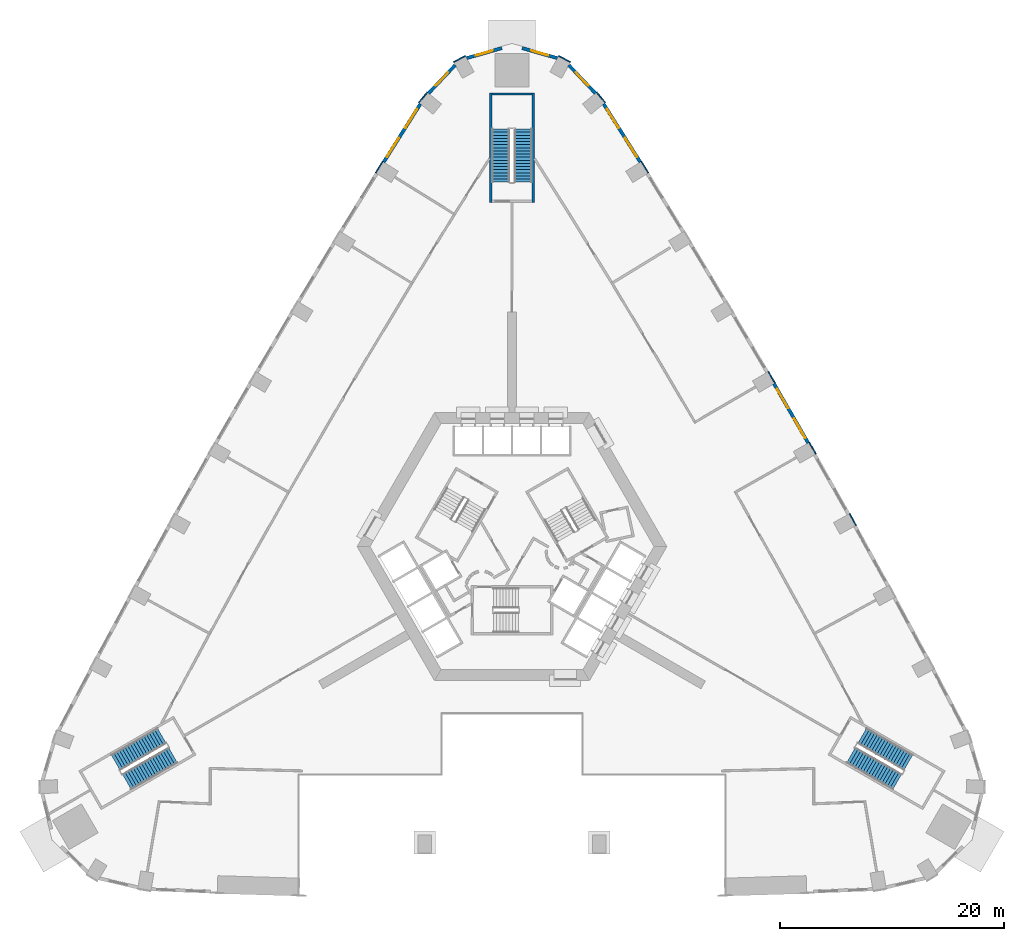
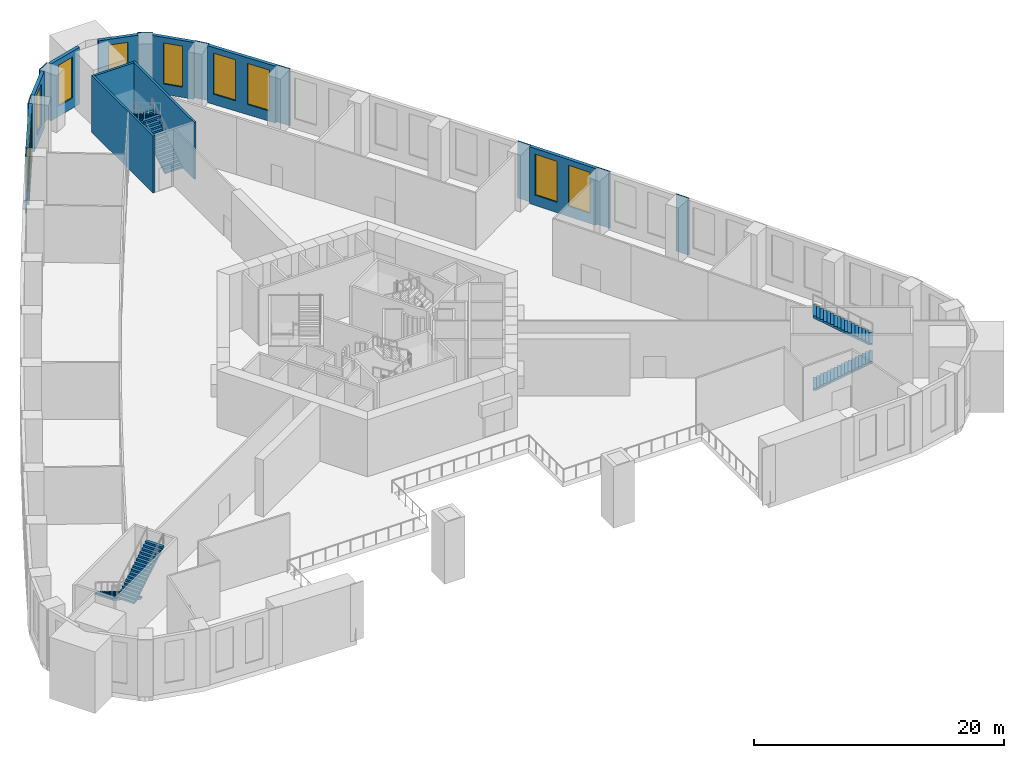
# One storey, part 8 of 15: 19 walls, 10 windows, 6 stair flights, 10 openings, 3 elements without a shape of their own.
"""IFC4 building model written with IfcOpenShell, lengths in metres."""

from ifc_helpers import new_model, si_unit, direction, frame, frame_2d, origin, place, context, subcontext, project, spatial, polyline, rectangle, outline, extrude, material, layer, layer_set, type_object, element, fill, aggregate, save


model = new_model("IFC4")

# Units and contexts
model_context = context("Model", 3, precision=1e-05, world=origin(), true_north=direction((0.0, 1.0)))
body_context = subcontext(model_context, "Body", "Model", "MODEL_VIEW")
ifc_project = project(units=[si_unit("LENGTHUNIT", "METRE"), si_unit("AREAUNIT", "SQUARE_METRE"), si_unit("VOLUMEUNIT", "CUBIC_METRE"), si_unit("PLANEANGLEUNIT", "RADIAN"), si_unit("MASSUNIT", "GRAM", prefix="KILO")], contexts=[model_context])

# Site, building, storey
site_placement = place(None, origin())
site = spatial("IfcSite", under=ifc_project, at=site_placement, CompositionType="ELEMENT")
building_placement = place(site_placement, origin())
building = spatial("IfcBuilding", under=site, at=building_placement, Name="Entoto Arch Interchange Tower", CompositionType="ELEMENT")
storey_placement = place(building_placement, frame((0.0, 0.0, 9.0)))
storey = spatial("IfcBuildingStorey", under=building, at=storey_placement, Name="L01", CompositionType="ELEMENT", Elevation=9.0)

# Walls
ifc_material_1 = material(Name="Concrete C40/50", Category="concrete")
ifc_layer_1 = layer(ifc_material_1, 0.199951171875)
ifc_layer_set_1 = layer_set([ifc_layer_1], Name="Concrete C40/50")
wall_type_1 = type_object("IfcWallType", Name="STAIR ENCLOSURE WALL 200", PredefinedType="STANDARD", material=ifc_layer_set_1)
for number, where, z_axis, x_axis, name in (
    (1, (1.89990234375, 33.300048828125, 0.0), (0.0, 0.0, 1.0), (0.0, 1.0, 0.0), "Stair wall PST-N left"),
    (2, (-1.89990234375, 33.300048828125, 0.0), (0.0, 0.0, 1.0), (0.0, 1.0, 0.0), "Stair wall PST-N right"),
):
    element("IfcWall", number, at=place(storey_placement, frame(where, z_axis=z_axis, x_axis=x_axis)), inside=storey, type_object=wall_type_1, Name=name, PredefinedType="STANDARD", context=body_context, shape_type="SweptSolid", body=[
        extrude(rectangle(XDim=9.800048828125, YDim=0.199951171875, at=frame_2d((4.89990234375, 0.0))), origin(), (0.0, 0.0, 1.0), 5.550048828125),
    ])
wall_1_placement = place(storey_placement, frame((1.800048828125, 43.0, 0.0), z_axis=(0.0, 0.0, 1.0), x_axis=(-1.0, 0.0, 0.0)))
element("IfcWall", 3, at=wall_1_placement, inside=storey, type_object=wall_type_1, Name="Stair wall PST-N far", PredefinedType="STANDARD", context=body_context, shape_type="SweptSolid", body=[
    extrude(rectangle(XDim=3.60009765625, YDim=0.199951171875, at=frame_2d((1.800048828125, 0.0))), origin(), (0.0, 0.0, 1.0), 5.550048828125),
])

# Wall, openings, windows
ifc_material_2 = material(Name="Welded tuff (ignimbrite) cladding, warm buff", Category="masonry")
ifc_layer_2 = layer(ifc_material_2, 0.300048828125)
ifc_layer_set_2 = layer_set([ifc_layer_2], Name="Welded tuff (ignimbrite) cladding, warm buff")
wall_type_2 = type_object("IfcWallType", Name="STONE INFILL WALL 300", PredefinedType="STANDARD", material=ifc_layer_set_2)
wall_2_placement = place(storey_placement, frame((26.507080078125, 11.77001953125, 0.0), z_axis=(0.0, 0.0, 1.0), x_axis=(-0.499939977436, 0.866060055055, 0.0)))
wall_2 = element("IfcWall", 4, at=wall_2_placement, inside=storey, type_object=wall_type_2, Name="Facade wall NE-05 L01", PredefinedType="STANDARD", context=body_context, shape_type="SweptSolid", body=[
    extrude(rectangle(XDim=6.120849609375, YDim=0.300048828125, at=frame_2d((3.060546875, 0.0))), origin(), (0.0, 0.0, 1.0), 5.550048828125),
])
opening_1_placement = place(wall_2_placement, frame((0.530029296875, 0.0, 1.0)))
opening_1 = element("IfcOpeningElement", 5, at=opening_1_placement, cuts=wall_2, Name="Opening WP-F", PredefinedType="OPENING", context=body_context, shape_type="SweptSolid", body=[
    extrude(rectangle(XDim=2.0, YDim=4.0, at=frame_2d((1.0, 2.0))), frame((0.0, 0.16015625, 0.0), z_axis=(0.0, -1.0, 0.0), x_axis=(1.0, 0.0, 0.0)), (0.0, 0.0, 1.0), 0.320068359375),
])
opening_2_placement = place(wall_2_placement, frame((3.591064453125, 0.0, 1.0)))
opening_2 = element("IfcOpeningElement", 6, at=opening_2_placement, cuts=wall_2, Name="Opening WP-F", PredefinedType="OPENING", context=body_context, shape_type="SweptSolid", body=[
    extrude(rectangle(XDim=2.0, YDim=4.0, at=frame_2d((1.0, 2.0))), frame((0.0, 0.16015625, 0.0), z_axis=(0.0, -1.0, 0.0), x_axis=(1.0, 0.0, 0.0)), (0.0, 0.0, 1.0), 0.320068359375),
])
ifc_material_3 = material(Name="Clear glass, low-e double glazed", Category="glass")
window_type_1 = type_object("IfcWindowType", Name="WINDOW WP-F 2000x4000", PartitioningType="DOUBLE_PANEL_VERTICAL", PredefinedType="WINDOW", material=ifc_material_3)
window_1_placement = place(opening_1_placement, origin())
window_1 = element("IfcWindow", 7, at=window_1_placement, inside=storey, type_object=window_type_1, Name="Window WP-F NE-05 L01", OverallHeight=4.0, OverallWidth=2.0, PartitioningType="SINGLE_PANEL", PredefinedType="WINDOW", context=body_context, shape_type="SweptSolid", body=[
    extrude(rectangle(XDim=2.0, YDim=4.0, at=frame_2d((1.0, 2.0))), frame((0.0, 0.030029296875, 0.0), z_axis=(0.0, -1.0, 0.0), x_axis=(1.0, 0.0, 0.0)), (0.0, 0.0, 1.0), 0.06005859375),
])
fill(opening_1, window_1)
window_2_placement = place(opening_2_placement, origin())
window_2 = element("IfcWindow", 8, at=window_2_placement, inside=storey, type_object=window_type_1, Name="Window WP-F NE-05 L01", OverallHeight=4.0, OverallWidth=2.0, PartitioningType="SINGLE_PANEL", PredefinedType="WINDOW", context=body_context, shape_type="SweptSolid", body=[
    extrude(rectangle(XDim=2.0, YDim=4.0, at=frame_2d((1.0, 2.0))), frame((0.0, 0.030029296875, 0.0), z_axis=(0.0, -1.0, 0.0), x_axis=(1.0, 0.0, 0.0)), (0.0, 0.0, 1.0), 0.06005859375),
])
fill(opening_2, window_2)

wall_3_placement = place(storey_placement, frame((11.48291015625, 36.89697265625, 0.0), z_axis=(0.0, 0.0, 1.0), x_axis=(-0.53304020879, 0.846089910006, 0.0)))
wall_3 = element("IfcWall", 9, at=wall_3_placement, inside=storey, type_object=wall_type_2, Name="Facade wall NE-09 L01", PredefinedType="STANDARD", context=body_context, shape_type="SweptSolid", body=[
    extrude(rectangle(XDim=6.16259765625, YDim=0.300048828125, at=frame_2d((3.081298828125, 0.0))), origin(), (0.0, 0.0, 1.0), 5.550048828125),
])
opening_3_placement = place(wall_3_placement, frame((0.541015625, 0.0, 1.0)))
opening_3 = element("IfcOpeningElement", 10, at=opening_3_placement, cuts=wall_3, Name="Opening WP-F", PredefinedType="OPENING", context=body_context, shape_type="SweptSolid", body=[
    extrude(rectangle(XDim=2.0, YDim=4.0, at=frame_2d((1.0, 2.0))), frame((0.0, 0.16015625, 0.0), z_axis=(0.0, -1.0, 0.0), x_axis=(1.0, 0.0, 0.0)), (0.0, 0.0, 1.0), 0.320068359375),
])
opening_4_placement = place(wall_3_placement, frame((3.6220703125, 0.0, 1.0)))
opening_4 = element("IfcOpeningElement", 11, at=opening_4_placement, cuts=wall_3, Name="Opening WP-F", PredefinedType="OPENING", context=body_context, shape_type="SweptSolid", body=[
    extrude(rectangle(XDim=2.0, YDim=4.0, at=frame_2d((1.0, 2.0))), frame((0.0, 0.16015625, 0.0), z_axis=(0.0, -1.0, 0.0), x_axis=(1.0, 0.0, 0.0)), (0.0, 0.0, 1.0), 0.320068359375),
])
window_3_placement = place(opening_3_placement, origin())
window_3 = element("IfcWindow", 12, at=window_3_placement, inside=storey, type_object=window_type_1, Name="Window WP-F NE-09 L01", OverallHeight=4.0, OverallWidth=2.0, PartitioningType="SINGLE_PANEL", PredefinedType="WINDOW", context=body_context, shape_type="SweptSolid", body=[
    extrude(rectangle(XDim=2.0, YDim=4.0, at=frame_2d((1.0, 2.0))), frame((0.0, 0.030029296875, 0.0), z_axis=(0.0, -1.0, 0.0), x_axis=(1.0, 0.0, 0.0)), (0.0, 0.0, 1.0), 0.06005859375),
])
fill(opening_3, window_3)
window_4_placement = place(opening_4_placement, origin())
window_4 = element("IfcWindow", 13, at=window_4_placement, inside=storey, type_object=window_type_1, Name="Window WP-F NE-09 L01", OverallHeight=4.0, OverallWidth=2.0, PartitioningType="SINGLE_PANEL", PredefinedType="WINDOW", context=body_context, shape_type="SweptSolid", body=[
    extrude(rectangle(XDim=2.0, YDim=4.0, at=frame_2d((1.0, 2.0))), frame((0.0, 0.030029296875, 0.0), z_axis=(0.0, -1.0, 0.0), x_axis=(1.0, 0.0, 0.0)), (0.0, 0.0, 1.0), 0.06005859375),
])
fill(opening_4, window_4)

# Wall, opening, window
wall_4_placement = place(storey_placement, frame((7.464111328125, 43.05810546875, 0.0), z_axis=(0.0, 0.0, 1.0), x_axis=(-0.687081126245, 0.726580708495, 0.0)))
wall_4 = element("IfcWall", 14, at=wall_4_placement, inside=storey, type_object=wall_type_2, Name="Facade wall N-01 L01", PredefinedType="STANDARD", context=body_context, shape_type="SweptSolid", body=[
    extrude(rectangle(XDim=3.461181640625, YDim=0.300048828125, at=frame_2d((1.73046875, 0.0))), origin(), (0.0, 0.0, 1.0), 5.550048828125),
])
opening_5_placement = place(wall_4_placement, frame((0.930908203125, 0.0, 1.0)))
opening_5 = element("IfcOpeningElement", 15, at=opening_5_placement, cuts=wall_4, Name="Opening WP-D", PredefinedType="OPENING", context=body_context, shape_type="SweptSolid", body=[
    extrude(rectangle(XDim=1.60009765625, YDim=4.0, at=frame_2d((0.800048828125, 2.0))), frame((0.0, 0.16015625, 0.0), z_axis=(0.0, -1.0, 0.0), x_axis=(1.0, 0.0, 0.0)), (0.0, 0.0, 1.0), 0.320068359375),
])
window_type_2 = type_object("IfcWindowType", Name="WINDOW WP-D 1600x4000", PartitioningType="DOUBLE_PANEL_VERTICAL", PredefinedType="WINDOW", material=ifc_material_3)
window_5_placement = place(opening_5_placement, origin())
window_5 = element("IfcWindow", 16, at=window_5_placement, inside=storey, type_object=window_type_2, Name="Window WP-D N-01 L01", OverallHeight=4.0, OverallWidth=1.60009765625, PartitioningType="SINGLE_PANEL", PredefinedType="WINDOW", context=body_context, shape_type="SweptSolid", body=[
    extrude(rectangle(XDim=1.60009765625, YDim=4.0, at=frame_2d((0.800048828125, 2.0))), frame((0.0, 0.030029296875, 0.0), z_axis=(0.0, -1.0, 0.0), x_axis=(1.0, 0.0, 0.0)), (0.0, 0.0, 1.0), 0.06005859375),
])
fill(opening_5, window_5)

wall_5_placement = place(storey_placement, frame((4.06396484375, 46.201904296875, 0.0), z_axis=(0.0, 0.0, 1.0), x_axis=(-0.961934470867, 0.273280211062, 0.0)))
wall_5 = element("IfcWall", 17, at=wall_5_placement, inside=storey, type_object=wall_type_2, Name="Facade wall N-02 L01", PredefinedType="STANDARD", context=body_context, shape_type="SweptSolid", body=[
    extrude(rectangle(XDim=3.290283203125, YDim=0.300048828125, at=frame_2d((1.64501953125, 0.0))), origin(), (0.0, 0.0, 1.0), 5.550048828125),
])
opening_6_placement = place(wall_5_placement, frame((0.844970703125, 0.0, 1.0)))
opening_6 = element("IfcOpeningElement", 18, at=opening_6_placement, cuts=wall_5, Name="Opening WP-D", PredefinedType="OPENING", context=body_context, shape_type="SweptSolid", body=[
    extrude(rectangle(XDim=1.60009765625, YDim=4.0, at=frame_2d((0.800048828125, 2.0))), frame((0.0, 0.16015625, 0.0), z_axis=(0.0, -1.0, 0.0), x_axis=(1.0, 0.0, 0.0)), (0.0, 0.0, 1.0), 0.320068359375),
])
window_6_placement = place(opening_6_placement, origin())
window_6 = element("IfcWindow", 19, at=window_6_placement, inside=storey, type_object=window_type_2, Name="Window WP-D N-02 L01", OverallHeight=4.0, OverallWidth=1.60009765625, PartitioningType="SINGLE_PANEL", PredefinedType="WINDOW", context=body_context, shape_type="SweptSolid", body=[
    extrude(rectangle(XDim=1.60009765625, YDim=4.0, at=frame_2d((0.800048828125, 2.0))), frame((0.0, 0.030029296875, 0.0), z_axis=(0.0, -1.0, 0.0), x_axis=(1.0, 0.0, 0.0)), (0.0, 0.0, 1.0), 0.06005859375),
])
fill(opening_6, window_6)

wall_6_placement = place(storey_placement, frame((-0.89892578125, 47.10107421875, 0.0), z_axis=(0.0, 0.0, 1.0), x_axis=(-0.961934470867, -0.273280211062, 0.0)))
wall_6 = element("IfcWall", 20, at=wall_6_placement, inside=storey, type_object=wall_type_2, Name="Facade wall N-03 L01", PredefinedType="STANDARD", context=body_context, shape_type="SweptSolid", body=[
    extrude(rectangle(XDim=3.290283203125, YDim=0.300048828125, at=frame_2d((1.64501953125, 0.0))), origin(), (0.0, 0.0, 1.0), 5.550048828125),
])
opening_7_placement = place(wall_6_placement, frame((0.844970703125, 0.0, 1.0)))
opening_7 = element("IfcOpeningElement", 21, at=opening_7_placement, cuts=wall_6, Name="Opening WP-D", PredefinedType="OPENING", context=body_context, shape_type="SweptSolid", body=[
    extrude(rectangle(XDim=1.60009765625, YDim=4.0, at=frame_2d((0.800048828125, 2.0))), frame((0.0, 0.16015625, 0.0), z_axis=(0.0, -1.0, 0.0), x_axis=(1.0, 0.0, 0.0)), (0.0, 0.0, 1.0), 0.320068359375),
])
window_7_placement = place(opening_7_placement, origin())
window_7 = element("IfcWindow", 22, at=window_7_placement, inside=storey, type_object=window_type_2, Name="Window WP-D N-03 L01", OverallHeight=4.0, OverallWidth=1.60009765625, PartitioningType="SINGLE_PANEL", PredefinedType="WINDOW", context=body_context, shape_type="SweptSolid", body=[
    extrude(rectangle(XDim=1.60009765625, YDim=4.0, at=frame_2d((0.800048828125, 2.0))), frame((0.0, 0.030029296875, 0.0), z_axis=(0.0, -1.0, 0.0), x_axis=(1.0, 0.0, 0.0)), (0.0, 0.0, 1.0), 0.06005859375),
])
fill(opening_7, window_7)

wall_7_placement = place(storey_placement, frame((-5.0859375, 45.572998046875, 0.0), z_axis=(0.0, 0.0, 1.0), x_axis=(-0.687081126245, -0.726580708495, 0.0)))
wall_7 = element("IfcWall", 23, at=wall_7_placement, inside=storey, type_object=wall_type_2, Name="Facade wall N-04 L01", PredefinedType="STANDARD", context=body_context, shape_type="SweptSolid", body=[
    extrude(rectangle(XDim=3.461181640625, YDim=0.300048828125, at=frame_2d((1.73046875, 0.0))), origin(), (0.0, 0.0, 1.0), 5.550048828125),
])
opening_8_placement = place(wall_7_placement, frame((0.930908203125, 0.0, 1.0)))
opening_8 = element("IfcOpeningElement", 24, at=opening_8_placement, cuts=wall_7, Name="Opening WP-D", PredefinedType="OPENING", context=body_context, shape_type="SweptSolid", body=[
    extrude(rectangle(XDim=1.60009765625, YDim=4.0, at=frame_2d((0.800048828125, 2.0))), frame((0.0, 0.16015625, 0.0), z_axis=(0.0, -1.0, 0.0), x_axis=(1.0, 0.0, 0.0)), (0.0, 0.0, 1.0), 0.320068359375),
])
window_8_placement = place(opening_8_placement, origin())
window_8 = element("IfcWindow", 25, at=window_8_placement, inside=storey, type_object=window_type_2, Name="Window WP-D N-04 L01", OverallHeight=4.0, OverallWidth=1.60009765625, PartitioningType="SINGLE_PANEL", PredefinedType="WINDOW", context=body_context, shape_type="SweptSolid", body=[
    extrude(rectangle(XDim=1.60009765625, YDim=4.0, at=frame_2d((0.800048828125, 2.0))), frame((0.0, 0.030029296875, 0.0), z_axis=(0.0, -1.0, 0.0), x_axis=(1.0, 0.0, 0.0)), (0.0, 0.0, 1.0), 0.06005859375),
])
fill(opening_8, window_8)

# Wall, openings, windows
wall_8_placement = place(storey_placement, frame((-8.197998046875, 42.111083984375, 0.0), z_axis=(0.0, 0.0, 1.0), x_axis=(-0.53304020879, -0.846089910006, 0.0)))
wall_8 = element("IfcWall", 26, at=wall_8_placement, inside=storey, type_object=wall_type_2, Name="Facade wall NW-01 L01", PredefinedType="STANDARD", context=body_context, shape_type="SweptSolid", body=[
    extrude(rectangle(XDim=6.16259765625, YDim=0.300048828125, at=frame_2d((3.081298828125, 0.0))), origin(), (0.0, 0.0, 1.0), 5.550048828125),
])
opening_9_placement = place(wall_8_placement, frame((0.541015625, 0.0, 1.0)))
opening_9 = element("IfcOpeningElement", 27, at=opening_9_placement, cuts=wall_8, Name="Opening WP-F", PredefinedType="OPENING", context=body_context, shape_type="SweptSolid", body=[
    extrude(rectangle(XDim=2.0, YDim=4.0, at=frame_2d((1.0, 2.0))), frame((0.0, 0.16015625, 0.0), z_axis=(0.0, -1.0, 0.0), x_axis=(1.0, 0.0, 0.0)), (0.0, 0.0, 1.0), 0.320068359375),
])
opening_10_placement = place(wall_8_placement, frame((3.6220703125, 0.0, 1.0)))
opening_10 = element("IfcOpeningElement", 28, at=opening_10_placement, cuts=wall_8, Name="Opening WP-F", PredefinedType="OPENING", context=body_context, shape_type="SweptSolid", body=[
    extrude(rectangle(XDim=2.0, YDim=4.0, at=frame_2d((1.0, 2.0))), frame((0.0, 0.16015625, 0.0), z_axis=(0.0, -1.0, 0.0), x_axis=(1.0, 0.0, 0.0)), (0.0, 0.0, 1.0), 0.320068359375),
])
window_9_placement = place(opening_9_placement, origin())
window_9 = element("IfcWindow", 29, at=window_9_placement, inside=storey, type_object=window_type_1, Name="Window WP-F NW-01 L01", OverallHeight=4.0, OverallWidth=2.0, PartitioningType="SINGLE_PANEL", PredefinedType="WINDOW", context=body_context, shape_type="SweptSolid", body=[
    extrude(rectangle(XDim=2.0, YDim=4.0, at=frame_2d((1.0, 2.0))), frame((0.0, 0.030029296875, 0.0), z_axis=(0.0, -1.0, 0.0), x_axis=(1.0, 0.0, 0.0)), (0.0, 0.0, 1.0), 0.06005859375),
])
fill(opening_9, window_9)
window_10_placement = place(opening_10_placement, origin())
window_10 = element("IfcWindow", 30, at=window_10_placement, inside=storey, type_object=window_type_1, Name="Window WP-F NW-01 L01", OverallHeight=4.0, OverallWidth=2.0, PartitioningType="SINGLE_PANEL", PredefinedType="WINDOW", context=body_context, shape_type="SweptSolid", body=[
    extrude(rectangle(XDim=2.0, YDim=4.0, at=frame_2d((1.0, 2.0))), frame((0.0, 0.030029296875, 0.0), z_axis=(0.0, -1.0, 0.0), x_axis=(1.0, 0.0, 0.0)), (0.0, 0.0, 1.0), 0.06005859375),
])
fill(opening_10, window_10)

# Walls
ifc_layer_3 = layer(ifc_material_2, 0.10009765625)
ifc_layer_set_3 = layer_set([ifc_layer_3], Name="Welded tuff (ignimbrite) cladding, warm buff")
wall_type_3 = type_object("IfcWallType", Name="STONE PIER CLADDING 100", PredefinedType="STANDARD", material=ifc_layer_set_3)
for number, where, z_axis, x_axis, name in (
    (31, (5.23095703125, 45.8369140625, 0.0), (0.0, 0.0, 1.0), (-0.877069725045, 0.480363089141, 0.0), "Stone pier N1 L01"),
    (32, (-4.178955078125, 46.4130859375, 0.0), (0.0, 0.0, 1.0), (-0.877069725045, -0.480363089141, 0.0), "Stone pier N3 L01"),
):
    element("IfcWall", number, at=place(storey_placement, frame(where, z_axis=z_axis, x_axis=x_axis)), inside=storey, type_object=wall_type_3, Name=name, PredefinedType="STANDARD", context=body_context, shape_type="SweptSolid", body=[
        extrude(rectangle(XDim=1.199462890625, YDim=0.10009765625, at=frame_2d((0.599609375, 0.0))), origin(), (0.0, 0.0, 1.0), 5.550048828125),
    ])
wall_9_placement = place(storey_placement, frame((30.783935546875, 4.402099609375, 0.0), z_axis=(0.0, 0.0, 1.0), x_axis=(-0.486817526853, 0.873503689488, 0.0)))
element("IfcWall", 33, at=wall_9_placement, inside=storey, type_object=wall_type_3, Name="Stone pier NE04 L01", PredefinedType="STANDARD", context=body_context, shape_type="SweptSolid", body=[
    extrude(rectangle(XDim=1.19970703125, YDim=0.10009765625, at=frame_2d((0.599853515625, 0.0))), origin(), (0.0, 0.0, 1.0), 5.550048828125),
])
wall_10_placement = place(storey_placement, frame((27.19091796875, 10.780029296875, 0.0), z_axis=(0.0, 0.0, 1.0), x_axis=(-0.495854054996, 0.868405870629, 0.0)))
element("IfcWall", 34, at=wall_10_placement, inside=storey, type_object=wall_type_3, Name="Stone pier NE05 L01", PredefinedType="STANDARD", context=body_context, shape_type="SweptSolid", body=[
    extrude(rectangle(XDim=1.199951171875, YDim=0.10009765625, at=frame_2d((0.60009765625, 0.0))), origin(), (0.0, 0.0, 1.0), 5.550048828125),
])
wall_11_placement = place(storey_placement, frame((23.535888671875, 17.1220703125, 0.0), z_axis=(0.0, 0.0, 1.0), x_axis=(-0.504313844903, 0.863520437418, 0.0)))
element("IfcWall", 35, at=wall_11_placement, inside=storey, type_object=wall_type_3, Name="Stone pier NE06 L01", PredefinedType="STANDARD", context=body_context, shape_type="SweptSolid", body=[
    extrude(rectangle(XDim=1.19970703125, YDim=0.10009765625, at=frame_2d((0.599853515625, 0.0))), origin(), (0.0, 0.0, 1.0), 5.550048828125),
])
for number, where, z_axis, x_axis, name in (
    (36, (12.2060546875, 35.93505859375, 0.0), (0.0, 0.0, 1.0), (-0.530273374944, 0.847826720401, 0.0), "Stone pier NE09 L01"),
    (37, (8.3359375, 42.22412109375, 0.0), (0.0, 0.0, 1.0), (-0.637738500874, 0.77025294839, 0.0), "Stone pier NE10 L01"),
    (38, (-7.571044921875, 43.14794921875, 0.0), (0.0, 0.0, 1.0), (-0.637738500874, -0.77025294839, 0.0), "Stone pier NW01 L01"),
    (39, (-11.570068359375, 36.951904296875, 0.0), (0.0, 0.0, 1.0), (-0.530273374944, -0.847826720401, 0.0), "Stone pier NW02 L01"),
):
    element("IfcWall", number, at=place(storey_placement, frame(where, z_axis=z_axis, x_axis=x_axis)), inside=storey, type_object=wall_type_3, Name=name, PredefinedType="STANDARD", context=body_context, shape_type="SweptSolid", body=[
        extrude(rectangle(XDim=1.199462890625, YDim=0.10009765625, at=frame_2d((0.599609375, 0.0))), origin(), (0.0, 0.0, 1.0), 5.550048828125),
    ])

# Stair, stair flights
stair_type = type_object("IfcStairType", Name="PODIUM EXIT STAIR RC 1600", PredefinedType="HALF_TURN_STAIR", material=ifc_material_1)
stair_1_placement = place(storey_placement, origin())
stair_1 = element("IfcStair", 40, at=stair_1_placement, inside=storey, type_object=stair_type, Name="L01 Podium exit stair north", PredefinedType="HALF_TURN_STAIR")
stair_flight_type = type_object("IfcStairFlightType", Name="PODIUM EXIT STAIR FLIGHT RC", PredefinedType="STRAIGHT", material=ifc_material_1)
stair_flight_1_placement = place(storey_placement, frame((1.0, 35.10009765625, 0.0), z_axis=(0.0, 0.0, 1.0), x_axis=(0.0, 1.0, 0.0)))
stair_flight_1 = element("IfcStairFlight", 41, at=stair_flight_1_placement, type_object=stair_flight_type, Name="PST-N flight 1", NumberOfRisers=18, NumberOfTreads=17, PredefinedType="STRAIGHT", RiserHeight=0.166666667, TreadLength=0.28, context=body_context, shape_type="SweptSolid", body=[
    extrude(outline(polyline([(-0.0029296875, 0.0), (-0.0029296875, 0.166748046875), (0.280029296875, 0.166748046875), (0.280029296875, 0.333251953125), (0.56005859375, 0.333251953125), (0.56005859375, 0.5), (0.840087890625, 0.5), (0.840087890625, 0.666748046875), (1.1201171875, 0.666748046875), (1.1201171875, 0.833251953125), (1.39990234375, 0.833251953125), (1.39990234375, 1.0), (1.679931640625, 1.0), (1.679931640625, 1.166748046875), (1.9599609375, 1.166748046875), (1.9599609375, 1.333251953125), (2.239990234375, 1.333251953125), (2.239990234375, 1.5), (2.52001953125, 1.5), (2.52001953125, 1.666748046875), (2.800048828125, 1.666748046875), (2.800048828125, 1.833251953125), (3.080078125, 1.833251953125), (3.080078125, 2.0), (3.360107421875, 2.0), (3.360107421875, 2.166748046875), (3.639892578125, 2.166748046875), (3.639892578125, 2.333251953125), (3.919921875, 2.333251953125), (3.919921875, 2.5), (4.199951171875, 2.5), (4.199951171875, 2.666748046875), (4.47998046875, 2.666748046875), (4.47998046875, 2.833251953125), (4.760009765625, 2.833251953125), (4.762939453125, 2.833251953125), (4.762939453125, 2.66064453125), (0.29296875, 0.0), (-0.0029296875, 0.0)])), frame((0.0, 0.800048828125, 0.0), z_axis=(0.0, -1.0, 0.0), x_axis=(1.0, 0.0, 0.0)), (0.0, 0.0, 1.0), 1.60009765625),
])
stair_flight_2_placement = place(storey_placement, frame((-1.0, 39.860107421875, 3.0), z_axis=(0.0, 0.0, 1.0), x_axis=(0.0, -1.0, 0.0)))
stair_flight_2 = element("IfcStairFlight", 42, at=stair_flight_2_placement, type_object=stair_flight_type, Name="PST-N flight 2", NumberOfRisers=18, NumberOfTreads=17, PredefinedType="STRAIGHT", RiserHeight=0.166666667, TreadLength=0.28, context=body_context, shape_type="SweptSolid", body=[
    extrude(outline(polyline([(-0.0029296875, 0.0), (-0.0029296875, 0.166748046875), (0.280029296875, 0.166748046875), (0.280029296875, 0.333251953125), (0.56005859375, 0.333251953125), (0.56005859375, 0.5), (0.840087890625, 0.5), (0.840087890625, 0.666748046875), (1.1201171875, 0.666748046875), (1.1201171875, 0.833251953125), (1.39990234375, 0.833251953125), (1.39990234375, 1.0), (1.679931640625, 1.0), (1.679931640625, 1.166748046875), (1.9599609375, 1.166748046875), (1.9599609375, 1.333251953125), (2.239990234375, 1.333251953125), (2.239990234375, 1.5), (2.52001953125, 1.5), (2.52001953125, 1.666748046875), (2.800048828125, 1.666748046875), (2.800048828125, 1.833251953125), (3.080078125, 1.833251953125), (3.080078125, 2.0), (3.360107421875, 2.0), (3.360107421875, 2.166748046875), (3.639892578125, 2.166748046875), (3.639892578125, 2.333251953125), (3.919921875, 2.333251953125), (3.919921875, 2.5), (4.199951171875, 2.5), (4.199951171875, 2.666748046875), (4.47998046875, 2.666748046875), (4.47998046875, 2.833251953125), (4.760009765625, 2.833251953125), (4.762939453125, 2.833251953125), (4.762939453125, 2.66064453125), (0.29296875, 0.0), (-0.0029296875, 0.0)])), frame((0.0, 0.800048828125, 0.0), z_axis=(0.0, -1.0, 0.0), x_axis=(1.0, 0.0, 0.0)), (0.0, 0.0, 1.0), 1.60009765625),
])
aggregate(stair_1, [stair_flight_1, stair_flight_2])

stair_2_placement = place(storey_placement, origin())
stair_2 = element("IfcStair", 43, at=stair_2_placement, inside=storey, type_object=stair_type, Name="L01 Podium exit stair south-west", PredefinedType="HALF_TURN_STAIR")
stair_flight_3_placement = place(storey_placement, frame((-31.33056640625, -14.43408203125, 0.0), z_axis=(0.0, 0.0, 1.0), x_axis=(-0.866025403784, -0.5, 0.0)))
stair_flight_3 = element("IfcStairFlight", 44, at=stair_flight_3_placement, type_object=stair_flight_type, Name="PST-SW flight 1", NumberOfRisers=18, NumberOfTreads=17, PredefinedType="STRAIGHT", RiserHeight=0.166666667, TreadLength=0.28, context=body_context, shape_type="SweptSolid", body=[
    extrude(outline(polyline([(-0.0029296875, 0.0), (-0.0029296875, 0.166748046875), (0.280029296875, 0.166748046875), (0.280029296875, 0.333251953125), (0.56005859375, 0.333251953125), (0.56005859375, 0.5), (0.840087890625, 0.5), (0.840087890625, 0.666748046875), (1.1201171875, 0.666748046875), (1.1201171875, 0.833251953125), (1.39990234375, 0.833251953125), (1.39990234375, 1.0), (1.679931640625, 1.0), (1.679931640625, 1.166748046875), (1.9599609375, 1.166748046875), (1.9599609375, 1.333251953125), (2.239990234375, 1.333251953125), (2.239990234375, 1.5), (2.52001953125, 1.5), (2.52001953125, 1.666748046875), (2.800048828125, 1.666748046875), (2.800048828125, 1.833251953125), (3.080078125, 1.833251953125), (3.080078125, 2.0), (3.360107421875, 2.0), (3.360107421875, 2.166748046875), (3.639892578125, 2.166748046875), (3.639892578125, 2.333251953125), (3.919921875, 2.333251953125), (3.919921875, 2.5), (4.199951171875, 2.5), (4.199951171875, 2.666748046875), (4.47998046875, 2.666748046875), (4.47998046875, 2.833251953125), (4.760009765625, 2.833251953125), (4.762939453125, 2.833251953125), (4.762939453125, 2.66064453125), (0.29296875, 0.0), (-0.0029296875, 0.0)])), frame((0.0, 0.800048828125, 0.0), z_axis=(0.0, -1.0, 0.0), x_axis=(1.0, 0.0, 0.0)), (0.0, 0.0, 1.0), 1.60009765625),
])
stair_flight_4_placement = place(storey_placement, frame((-34.452880859375, -18.546142578125, 3.0), z_axis=(0.0, 0.0, 1.0), x_axis=(0.866025403784, 0.5, 0.0)))
stair_flight_4 = element("IfcStairFlight", 45, at=stair_flight_4_placement, type_object=stair_flight_type, Name="PST-SW flight 2", NumberOfRisers=18, NumberOfTreads=17, PredefinedType="STRAIGHT", RiserHeight=0.166666667, TreadLength=0.28, context=body_context, shape_type="SweptSolid", body=[
    extrude(outline(polyline([(-0.0029296875, 0.0), (-0.0029296875, 0.166748046875), (0.280029296875, 0.166748046875), (0.280029296875, 0.333251953125), (0.56005859375, 0.333251953125), (0.56005859375, 0.5), (0.840087890625, 0.5), (0.840087890625, 0.666748046875), (1.1201171875, 0.666748046875), (1.1201171875, 0.833251953125), (1.39990234375, 0.833251953125), (1.39990234375, 1.0), (1.679931640625, 1.0), (1.679931640625, 1.166748046875), (1.9599609375, 1.166748046875), (1.9599609375, 1.333251953125), (2.239990234375, 1.333251953125), (2.239990234375, 1.5), (2.52001953125, 1.5), (2.52001953125, 1.666748046875), (2.800048828125, 1.666748046875), (2.800048828125, 1.833251953125), (3.080078125, 1.833251953125), (3.080078125, 2.0), (3.360107421875, 2.0), (3.360107421875, 2.166748046875), (3.639892578125, 2.166748046875), (3.639892578125, 2.333251953125), (3.919921875, 2.333251953125), (3.919921875, 2.5), (4.199951171875, 2.5), (4.199951171875, 2.666748046875), (4.47998046875, 2.666748046875), (4.47998046875, 2.833251953125), (4.760009765625, 2.833251953125), (4.762939453125, 2.833251953125), (4.762939453125, 2.66064453125), (0.29296875, 0.0), (-0.0029296875, 0.0)])), frame((0.0, 0.800048828125, 0.0), z_axis=(0.0, -1.0, 0.0), x_axis=(1.0, 0.0, 0.0)), (0.0, 0.0, 1.0), 1.60009765625),
])
aggregate(stair_2, [stair_flight_3, stair_flight_4])

stair_3_placement = place(storey_placement, origin())
stair_3 = element("IfcStair", 46, at=stair_3_placement, inside=storey, type_object=stair_type, Name="L01 Podium exit stair south-east", PredefinedType="HALF_TURN_STAIR")
stair_flight_5_placement = place(storey_placement, frame((30.33056640625, -16.166015625, 0.0), z_axis=(0.0, 0.0, 1.0), x_axis=(0.866025403784, -0.5, 0.0)))
stair_flight_5 = element("IfcStairFlight", 47, at=stair_flight_5_placement, type_object=stair_flight_type, Name="PST-SE flight 1", NumberOfRisers=18, NumberOfTreads=17, PredefinedType="STRAIGHT", RiserHeight=0.166666667, TreadLength=0.28, context=body_context, shape_type="SweptSolid", body=[
    extrude(outline(polyline([(-0.0029296875, 0.0), (-0.0029296875, 0.166748046875), (0.280029296875, 0.166748046875), (0.280029296875, 0.333251953125), (0.56005859375, 0.333251953125), (0.56005859375, 0.5), (0.840087890625, 0.5), (0.840087890625, 0.666748046875), (1.1201171875, 0.666748046875), (1.1201171875, 0.833251953125), (1.39990234375, 0.833251953125), (1.39990234375, 1.0), (1.679931640625, 1.0), (1.679931640625, 1.166748046875), (1.9599609375, 1.166748046875), (1.9599609375, 1.333251953125), (2.239990234375, 1.333251953125), (2.239990234375, 1.5), (2.52001953125, 1.5), (2.52001953125, 1.666748046875), (2.800048828125, 1.666748046875), (2.800048828125, 1.833251953125), (3.080078125, 1.833251953125), (3.080078125, 2.0), (3.360107421875, 2.0), (3.360107421875, 2.166748046875), (3.639892578125, 2.166748046875), (3.639892578125, 2.333251953125), (3.919921875, 2.333251953125), (3.919921875, 2.5), (4.199951171875, 2.5), (4.199951171875, 2.666748046875), (4.47998046875, 2.666748046875), (4.47998046875, 2.833251953125), (4.760009765625, 2.833251953125), (4.762939453125, 2.833251953125), (4.762939453125, 2.66064453125), (0.29296875, 0.0), (-0.0029296875, 0.0)])), frame((0.0, 0.800048828125, 0.0), z_axis=(0.0, -1.0, 0.0), x_axis=(1.0, 0.0, 0.0)), (0.0, 0.0, 1.0), 1.60009765625),
])
stair_flight_6_placement = place(storey_placement, frame((35.452880859375, -16.81396484375, 3.0), z_axis=(0.0, 0.0, 1.0), x_axis=(-0.866025403784, 0.5, 0.0)))
stair_flight_6 = element("IfcStairFlight", 48, at=stair_flight_6_placement, type_object=stair_flight_type, Name="PST-SE flight 2", NumberOfRisers=18, NumberOfTreads=17, PredefinedType="STRAIGHT", RiserHeight=0.166666667, TreadLength=0.28, context=body_context, shape_type="SweptSolid", body=[
    extrude(outline(polyline([(-0.0029296875, 0.0), (-0.0029296875, 0.166748046875), (0.280029296875, 0.166748046875), (0.280029296875, 0.333251953125), (0.56005859375, 0.333251953125), (0.56005859375, 0.5), (0.840087890625, 0.5), (0.840087890625, 0.666748046875), (1.1201171875, 0.666748046875), (1.1201171875, 0.833251953125), (1.39990234375, 0.833251953125), (1.39990234375, 1.0), (1.679931640625, 1.0), (1.679931640625, 1.166748046875), (1.9599609375, 1.166748046875), (1.9599609375, 1.333251953125), (2.239990234375, 1.333251953125), (2.239990234375, 1.5), (2.52001953125, 1.5), (2.52001953125, 1.666748046875), (2.800048828125, 1.666748046875), (2.800048828125, 1.833251953125), (3.080078125, 1.833251953125), (3.080078125, 2.0), (3.360107421875, 2.0), (3.360107421875, 2.166748046875), (3.639892578125, 2.166748046875), (3.639892578125, 2.333251953125), (3.919921875, 2.333251953125), (3.919921875, 2.5), (4.199951171875, 2.5), (4.199951171875, 2.666748046875), (4.47998046875, 2.666748046875), (4.47998046875, 2.833251953125), (4.760009765625, 2.833251953125), (4.762939453125, 2.833251953125), (4.762939453125, 2.66064453125), (0.29296875, 0.0), (-0.0029296875, 0.0)])), frame((0.0, 0.800048828125, 0.0), z_axis=(0.0, -1.0, 0.0), x_axis=(1.0, 0.0, 0.0)), (0.0, 0.0, 1.0), 1.60009765625),
])
aggregate(stair_3, [stair_flight_5, stair_flight_6])

save(model, "model.ifc")
